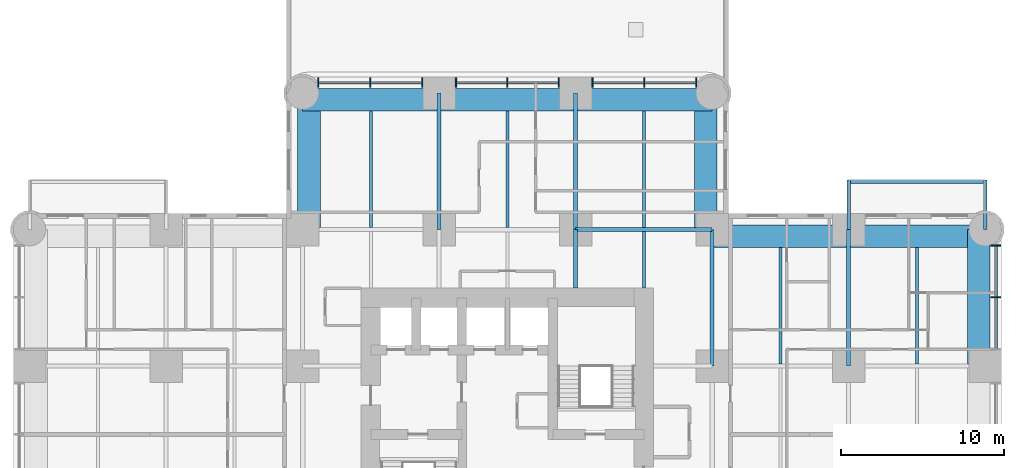
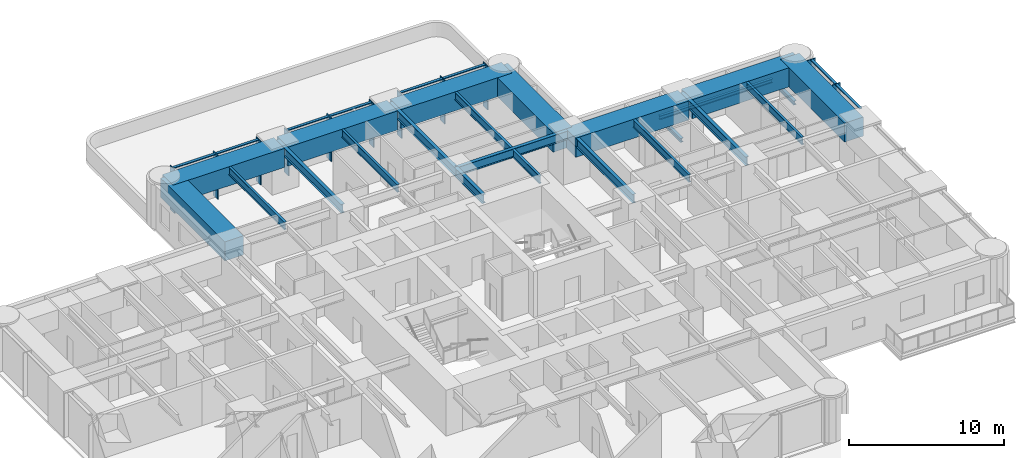
# One storey, part 4 of 14: 23 beams, 19 members, 2 elements without a shape of their own.
"""IFC4 building model written with IfcOpenShell, lengths in metres."""

from ifc_helpers import new_model, si_unit, direction, frame, origin, origin_2d, place, context, subcontext, project, spatial, rectangle, i_section, extrude, material, material_profile, profile_set, type_object, element, aggregate, save


model = new_model("IFC4")

# Units and contexts
model_context = context("Model", 3, precision=1e-05, world=origin(), true_north=direction((0.0, 1.0)))
body_context = subcontext(model_context, "Body", "Model", "MODEL_VIEW")
ifc_project = project(units=[si_unit("LENGTHUNIT", "METRE"), si_unit("AREAUNIT", "SQUARE_METRE"), si_unit("VOLUMEUNIT", "CUBIC_METRE"), si_unit("PLANEANGLEUNIT", "RADIAN"), si_unit("MASSUNIT", "GRAM", prefix="KILO")], contexts=[model_context])

# Site, building, storey
site_placement = place(None, origin())
site = spatial("IfcSite", under=ifc_project, at=site_placement, CompositionType="ELEMENT")
building_placement = place(site_placement, origin())
building = spatial("IfcBuilding", under=site, at=building_placement, Name="Torre Alcanfor", CompositionType="ELEMENT")
storey_placement = place(building_placement, frame((0.0, 0.0, 108.89990234375)))
storey = spatial("IfcBuildingStorey", under=building, at=storey_placement, Name="L27", CompositionType="ELEMENT", Elevation=108.89990234375)

# Beams
ifc_material_1 = material(Name="Steel ASTM A992 Grade 50", Category="steel")
ifc_material_profile_1 = material_profile(ifc_material_1, i_section(OverallWidth=0.205322265625, OverallDepth=0.309814453125, WebThickness=0.00927734375, FlangeThickness=0.016357421875, at=origin_2d()), Name="W12x50")
ifc_profile_set_1 = profile_set([ifc_material_profile_1], Name="Steel ASTM A992 Grade 50")
beam_type_1 = type_object("IfcBeamType", Name="Balcony cantilever beam W12x50", PredefinedType="BEAM", material=ifc_profile_set_1)
for number, where, z_axis, x_axis, name in (
    (1, (50.39990234375, 42.0, -0.354736328125), (0.0, 1.0, 0.0), (-1.0, 0.0, 0.0), "Balcony cantilever beam L27-E1 1"),
    (2, (58.800048828125, 42.0, -0.354736328125), (0.0, 1.0, 0.0), (-1.0, 0.0, 0.0), "Balcony cantilever beam L27-E1 2"),
):
    element("IfcBeam", number, at=place(storey_placement, frame(where, z_axis=z_axis, x_axis=x_axis)), inside=storey, type_object=beam_type_1, Name=name, PredefinedType="BEAM", context=body_context, shape_type="SweptSolid", body=[
        extrude(i_section(OverallWidth=0.205322265625, OverallDepth=0.309814453125, WebThickness=0.00927734375, FlangeThickness=0.016357421875, at=origin_2d()), origin(), (0.0, 0.0, 1.0), 3.050048828125),
    ])
ifc_material_2 = material(Name="Steel ASTM A992 Grade 50", Category="steel")
ifc_material_profile_2 = material_profile(ifc_material_2, i_section(OverallWidth=0.203369140625, OverallDepth=0.30224609375, WebThickness=0.007568359375, FlangeThickness=0.01318359375, at=origin_2d()), Name="W12x40")
ifc_profile_set_2 = profile_set([ifc_material_profile_2], Name="Steel ASTM A992 Grade 50")
beam_type_2 = type_object("IfcBeamType", Name="Balcony edge trimmer W12x40", PredefinedType="BEAM", material=ifc_profile_set_2)
beam_1_placement = place(storey_placement, frame((50.39990234375, 44.9482421875, -0.35107421875), z_axis=(1.0, 0.0, 0.0), x_axis=(0.0, 1.0, 0.0)))
element("IfcBeam", 3, at=beam_1_placement, inside=storey, type_object=beam_type_2, Name="Balcony edge trimmer L27-E1", PredefinedType="BEAM", context=body_context, shape_type="SweptSolid", body=[
    extrude(i_section(OverallWidth=0.203369140625, OverallDepth=0.30224609375, WebThickness=0.007568359375, FlangeThickness=0.01318359375, at=origin_2d()), origin(), (0.0, 0.0, 1.0), 8.400146484375),
])

# Curtain wall, members
ifc_material_3 = material(Name="Aluminium and glass", Category="aluminium")
curtain_wall_type = type_object("IfcCurtainWallType", Name="CW-A unitised apartment glazing with vertical FIN", PredefinedType="NOTDEFINED", material=ifc_material_3)
curtain_wall_1_placement = place(storey_placement, origin())
curtain_wall_1 = element("IfcCurtainWall", 4, at=curtain_wall_1_placement, inside=storey, type_object=curtain_wall_type, Name="Curtain wall CW-A L27 8", PredefinedType="NOTDEFINED")
ifc_material_4 = material(Name="Bronze anodised aluminium", Category="aluminium")
ifc_material_profile_3 = material_profile(ifc_material_4, rectangle(XDim=0.60009765625, YDim=0.06494140625, at=origin_2d()), Name="CW-A mullion 65x600")
ifc_profile_set_3 = profile_set([ifc_material_profile_3], Name="Bronze anodised aluminium")
member_type_1 = type_object("IfcMemberType", Name="CW-A mullion with vertical FIN 65x600", PredefinedType="MULLION", material=ifc_profile_set_3)
member_1_placement = place(storey_placement, frame((59.449951171875, 37.83154296875, 0.0), z_axis=(0.0, 0.0, 1.0), x_axis=(-1.0, 0.0, 0.0)))
member_1 = element("IfcMember", 5, at=member_1_placement, type_object=member_type_1, Name="CW-A mullion 3.2", PredefinedType="MULLION", context=body_context, shape_type="SweptSolid", body=[
    extrude(rectangle(XDim=0.60009765625, YDim=0.06494140625, at=origin_2d()), origin(), (0.0, 0.0, 1.0), 3.4501953125),
])
member_2_placement = place(storey_placement, frame((59.449951171875, 41.025390625, 0.0), z_axis=(0.0, 0.0, 1.0), x_axis=(-1.0, 0.0, 0.0)))
member_2 = element("IfcMember", 6, at=member_2_placement, type_object=member_type_1, Name="CW-A mullion 3.3", PredefinedType="MULLION", context=body_context, shape_type="SweptSolid", body=[
    extrude(rectangle(XDim=0.60009765625, YDim=0.06494140625, at=origin_2d()), origin(), (0.0, 0.0, 1.0), 3.4501953125),
])

curtain_wall_2_placement = place(storey_placement, origin())
curtain_wall_2 = element("IfcCurtainWall", 7, at=curtain_wall_2_placement, inside=storey, type_object=curtain_wall_type, Name="Curtain wall CW-A L27 11", PredefinedType="NOTDEFINED")
member_3_placement = place(storey_placement, frame((41.025390625, 51.050048828125, 0.0), z_axis=(0.0, 0.0, 1.0), x_axis=(0.0, -1.0, 0.0)))
member_3 = element("IfcMember", 8, at=member_3_placement, type_object=member_type_1, Name="CW-A mullion 1.1", PredefinedType="MULLION", context=body_context, shape_type="SweptSolid", body=[
    extrude(rectangle(XDim=0.60009765625, YDim=0.06494140625, at=origin_2d()), origin(), (0.0, 0.0, 1.0), 3.4501953125),
])
member_4_placement = place(storey_placement, frame((37.83154296875, 51.050048828125, 0.0), z_axis=(0.0, 0.0, 1.0), x_axis=(0.0, -1.0, 0.0)))
member_4 = element("IfcMember", 9, at=member_4_placement, type_object=member_type_1, Name="CW-A mullion 1.2", PredefinedType="MULLION", context=body_context, shape_type="SweptSolid", body=[
    extrude(rectangle(XDim=0.60009765625, YDim=0.06494140625, at=origin_2d()), origin(), (0.0, 0.0, 1.0), 3.4501953125),
])
member_5_placement = place(storey_placement, frame((34.637451171875, 51.050048828125, 0.0), z_axis=(0.0, 0.0, 1.0), x_axis=(0.0, -1.0, 0.0)))
member_5 = element("IfcMember", 10, at=member_5_placement, type_object=member_type_1, Name="CW-A mullion 1.3", PredefinedType="MULLION", context=body_context, shape_type="SweptSolid", body=[
    extrude(rectangle(XDim=0.60009765625, YDim=0.06494140625, at=origin_2d()), origin(), (0.0, 0.0, 1.0), 3.4501953125),
])
member_6_placement = place(storey_placement, frame((32.5625, 51.050048828125, 0.0), z_axis=(0.0, 0.0, 1.0), x_axis=(0.0, -1.0, 0.0)))
member_6 = element("IfcMember", 11, at=member_6_placement, type_object=member_type_1, Name="CW-A mullion 2.1", PredefinedType="MULLION", context=body_context, shape_type="SweptSolid", body=[
    extrude(rectangle(XDim=0.60009765625, YDim=0.06494140625, at=origin_2d()), origin(), (0.0, 0.0, 1.0), 3.4501953125),
])
member_7_placement = place(storey_placement, frame((29.39990234375, 51.050048828125, 0.0), z_axis=(0.0, 0.0, 1.0), x_axis=(0.0, -1.0, 0.0)))
member_7 = element("IfcMember", 12, at=member_7_placement, type_object=member_type_1, Name="CW-A mullion 2.2", PredefinedType="MULLION", context=body_context, shape_type="SweptSolid", body=[
    extrude(rectangle(XDim=0.60009765625, YDim=0.06494140625, at=origin_2d()), origin(), (0.0, 0.0, 1.0), 3.4501953125),
])
member_8_placement = place(storey_placement, frame((26.237548828125, 51.050048828125, 0.0), z_axis=(0.0, 0.0, 1.0), x_axis=(0.0, -1.0, 0.0)))
member_8 = element("IfcMember", 13, at=member_8_placement, type_object=member_type_1, Name="CW-A mullion 2.3", PredefinedType="MULLION", context=body_context, shape_type="SweptSolid", body=[
    extrude(rectangle(XDim=0.60009765625, YDim=0.06494140625, at=origin_2d()), origin(), (0.0, 0.0, 1.0), 3.4501953125),
])
member_9_placement = place(storey_placement, frame((24.16259765625, 51.050048828125, 0.0), z_axis=(0.0, 0.0, 1.0), x_axis=(0.0, -1.0, 0.0)))
member_9 = element("IfcMember", 14, at=member_9_placement, type_object=member_type_1, Name="CW-A mullion 3.1", PredefinedType="MULLION", context=body_context, shape_type="SweptSolid", body=[
    extrude(rectangle(XDim=0.60009765625, YDim=0.06494140625, at=origin_2d()), origin(), (0.0, 0.0, 1.0), 3.4501953125),
])
member_10_placement = place(storey_placement, frame((20.968505859375, 51.050048828125, 0.0), z_axis=(0.0, 0.0, 1.0), x_axis=(0.0, -1.0, 0.0)))
member_10 = element("IfcMember", 15, at=member_10_placement, type_object=member_type_1, Name="CW-A mullion 3.2", PredefinedType="MULLION", context=body_context, shape_type="SweptSolid", body=[
    extrude(rectangle(XDim=0.60009765625, YDim=0.06494140625, at=origin_2d()), origin(), (0.0, 0.0, 1.0), 3.4501953125),
])
member_11_placement = place(storey_placement, frame((17.7744140625, 51.050048828125, 0.0), z_axis=(0.0, 0.0, 1.0), x_axis=(0.0, -1.0, 0.0)))
member_11 = element("IfcMember", 16, at=member_11_placement, type_object=member_type_1, Name="CW-A mullion 3.3", PredefinedType="MULLION", context=body_context, shape_type="SweptSolid", body=[
    extrude(rectangle(XDim=0.60009765625, YDim=0.06494140625, at=origin_2d()), origin(), (0.0, 0.0, 1.0), 3.4501953125),
])

# Member
ifc_material_5 = material(Name="Extruded aluminium", Category="aluminium")
ifc_material_profile_4 = material_profile(ifc_material_5, rectangle(XDim=0.199951171875, YDim=0.06494140625, at=origin_2d()), Name="CW-A transom 200x65")
ifc_profile_set_4 = profile_set([ifc_material_profile_4], Name="Extruded aluminium")
member_type_2 = type_object("IfcMemberType", Name="CW-A transom 65x200", PredefinedType="USERDEFINED", material=ifc_profile_set_4)
member_12_placement = place(storey_placement, frame((59.449951171875, 34.669921875, 3.41748046875), z_axis=(0.0, 1.0, 0.0), x_axis=(-1.0, 0.0, 0.0)))
member_12 = element("IfcMember", 17, at=member_12_placement, type_object=member_type_2, Name="CW-A transom 3.1.2", ObjectType="TRANSOM", PredefinedType="USERDEFINED", context=body_context, shape_type="SweptSolid", body=[
    extrude(rectangle(XDim=0.199951171875, YDim=0.06494140625, at=origin_2d()), origin(), (0.0, 0.0, 1.0), 3.129150390625),
])

member_13_placement = place(storey_placement, frame((59.449951171875, 37.864013671875, 3.41748046875), z_axis=(0.0, 1.0, 0.0), x_axis=(-1.0, 0.0, 0.0)))
member_13 = element("IfcMember", 18, at=member_13_placement, type_object=member_type_2, Name="CW-A transom 3.2.2", ObjectType="TRANSOM", PredefinedType="USERDEFINED", context=body_context, shape_type="SweptSolid", body=[
    extrude(rectangle(XDim=0.199951171875, YDim=0.06494140625, at=origin_2d()), origin(), (0.0, 0.0, 1.0), 3.12890625),
])

aggregate(curtain_wall_1, [member_1, member_2, member_12, member_13])

member_14_placement = place(storey_placement, frame((40.992919921875, 51.050048828125, 3.41748046875), z_axis=(-1.0, 0.0, 0.0), x_axis=(0.0, -1.0, 0.0)))
member_14 = element("IfcMember", 19, at=member_14_placement, type_object=member_type_2, Name="CW-A transom 1.1.2", ObjectType="TRANSOM", PredefinedType="USERDEFINED", context=body_context, shape_type="SweptSolid", body=[
    extrude(rectangle(XDim=0.199951171875, YDim=0.06494140625, at=origin_2d()), origin(), (0.0, 0.0, 1.0), 3.12890625),
])

member_15_placement = place(storey_placement, frame((37.799072265625, 51.050048828125, 3.41748046875), z_axis=(-1.0, 0.0, 0.0), x_axis=(0.0, -1.0, 0.0)))
member_15 = element("IfcMember", 20, at=member_15_placement, type_object=member_type_2, Name="CW-A transom 1.2.2", ObjectType="TRANSOM", PredefinedType="USERDEFINED", context=body_context, shape_type="SweptSolid", body=[
    extrude(rectangle(XDim=0.199951171875, YDim=0.06494140625, at=origin_2d()), origin(), (0.0, 0.0, 1.0), 3.129150390625),
])

member_16_placement = place(storey_placement, frame((32.530029296875, 51.050048828125, 3.41748046875), z_axis=(-1.0, 0.0, 0.0), x_axis=(0.0, -1.0, 0.0)))
member_16 = element("IfcMember", 21, at=member_16_placement, type_object=member_type_2, Name="CW-A transom 2.1.2", ObjectType="TRANSOM", PredefinedType="USERDEFINED", context=body_context, shape_type="SweptSolid", body=[
    extrude(rectangle(XDim=0.199951171875, YDim=0.06494140625, at=origin_2d()), origin(), (0.0, 0.0, 1.0), 3.097412109375),
])

member_17_placement = place(storey_placement, frame((29.367431640625, 51.050048828125, 3.41748046875), z_axis=(-1.0, 0.0, 0.0), x_axis=(0.0, -1.0, 0.0)))
member_17 = element("IfcMember", 22, at=member_17_placement, type_object=member_type_2, Name="CW-A transom 2.2.2", ObjectType="TRANSOM", PredefinedType="USERDEFINED", context=body_context, shape_type="SweptSolid", body=[
    extrude(rectangle(XDim=0.199951171875, YDim=0.06494140625, at=origin_2d()), origin(), (0.0, 0.0, 1.0), 3.097412109375),
])

member_18_placement = place(storey_placement, frame((24.1298828125, 51.050048828125, 3.41748046875), z_axis=(-1.0, 0.0, 0.0), x_axis=(0.0, -1.0, 0.0)))
member_18 = element("IfcMember", 23, at=member_18_placement, type_object=member_type_2, Name="CW-A transom 3.1.2", ObjectType="TRANSOM", PredefinedType="USERDEFINED", context=body_context, shape_type="SweptSolid", body=[
    extrude(rectangle(XDim=0.199951171875, YDim=0.06494140625, at=origin_2d()), origin(), (0.0, 0.0, 1.0), 3.12890625),
])

member_19_placement = place(storey_placement, frame((20.93603515625, 51.050048828125, 3.41748046875), z_axis=(-1.0, 0.0, 0.0), x_axis=(0.0, -1.0, 0.0)))
member_19 = element("IfcMember", 24, at=member_19_placement, type_object=member_type_2, Name="CW-A transom 3.2.2", ObjectType="TRANSOM", PredefinedType="USERDEFINED", context=body_context, shape_type="SweptSolid", body=[
    extrude(rectangle(XDim=0.199951171875, YDim=0.06494140625, at=origin_2d()), origin(), (0.0, 0.0, 1.0), 3.129150390625),
])

aggregate(curtain_wall_2, [member_3, member_4, member_5, member_14, member_15, member_6, member_7, member_8, member_16, member_17, member_9, member_10, member_11, member_18, member_19])

# Beams
ifc_material_6 = material(Name="Steel ASTM A992 Grade 50", Category="steel")
ifc_material_profile_5 = material_profile(ifc_material_6, i_section(OverallWidth=0.25390625, OverallDepth=0.683349609375, WebThickness=0.012451171875, FlangeThickness=0.01904296875, at=origin_2d()), Name="W27x94")
ifc_profile_set_5 = profile_set([ifc_material_profile_5], Name="Steel ASTM A992 Grade 50")
beam_type_3 = type_object("IfcBeamType", Name="Girder W27x94", PredefinedType="BEAM", material=ifc_profile_set_5)
for number, where, z_axis, x_axis, name in (
    (25, (33.60009765625, 42.0, 3.1083984375), (1.0, 0.0, 0.0), (0.0, 1.0, 0.0), "Beam 5H-6H under L28"),
    (26, (25.199951171875, 42.0, 3.1083984375), (0.0, 1.0, 0.0), (-1.0, 0.0, 0.0), "Beam 4H-4J under L28"),
    (27, (33.60009765625, 42.0, 3.1083984375), (0.0, 1.0, 0.0), (-1.0, 0.0, 0.0), "Beam 5H-5J under L28"),
    (28, (42.0, 33.60009765625, 3.1083984375), (0.0, 1.0, 0.0), (-1.0, 0.0, 0.0), "Beam 6G-6H under L28"),
    (29, (50.39990234375, 33.60009765625, 3.1083984375), (0.0, 1.0, 0.0), (-1.0, 0.0, 0.0), "Beam 7G-7H under L28"),
):
    element("IfcBeam", number, at=place(storey_placement, frame(where, z_axis=z_axis, x_axis=x_axis)), inside=storey, type_object=beam_type_3, Name=name, PredefinedType="BEAM", context=body_context, shape_type="SweptSolid", body=[
        extrude(i_section(OverallWidth=0.25390625, OverallDepth=0.683349609375, WebThickness=0.012451171875, FlangeThickness=0.01904296875, at=origin_2d()), origin(), (0.0, 0.0, 1.0), 8.39990234375),
    ])
ifc_material_7 = material(Name="Steel ASTM A992 Grade 50", Category="steel")
ifc_material_profile_6 = material_profile(ifc_material_7, i_section(OverallWidth=0.25390625, OverallDepth=0.683349609375, WebThickness=0.012451171875, FlangeThickness=0.01904296875, at=origin_2d()), Name="W27x94")
ifc_profile_set_6 = profile_set([ifc_material_profile_6], Name="Steel ASTM A992 Grade 50")
beam_type_4 = type_object("IfcBeamType", Name="Girder, part bay W27x94", PredefinedType="BEAM", material=ifc_profile_set_6)
beam_2_placement = place(storey_placement, frame((33.60009765625, 42.0, 3.1083984375), z_axis=(0.0, -1.0, 0.0), x_axis=(1.0, 0.0, 0.0)))
element("IfcBeam", 30, at=beam_2_placement, inside=storey, type_object=beam_type_4, Name="Beam 5H-538_4 under L28", PredefinedType="BEAM", context=body_context, shape_type="SweptSolid", body=[
    extrude(i_section(OverallWidth=0.25390625, OverallDepth=0.683349609375, WebThickness=0.012451171875, FlangeThickness=0.01904296875, at=origin_2d()), origin(), (0.0, 0.0, 1.0), 3.60009765625),
])
ifc_material_8 = material(Name="Concrete f'c 70 MPa", Category="concrete")
ifc_material_profile_7 = material_profile(ifc_material_8, rectangle(XDim=1.39990234375, YDim=1.5, at=origin_2d()), Name="1400x1500")
ifc_profile_set_7 = profile_set([ifc_material_profile_7], Name="Concrete f'c 70 MPa")
beam_type_5 = type_object("IfcBeamType", Name="RC perimeter beam 1400x1500", PredefinedType="BEAM", material=ifc_profile_set_7)
beam_3_placement = place(storey_placement, frame((41.873046875, 41.60009765625, 2.7001953125), z_axis=(1.0, 0.0, 0.0), x_axis=(0.0, 1.0, 0.0)))
element("IfcBeam", 31, at=beam_3_placement, inside=storey, type_object=beam_type_5, Name="Beam 6H-7H under L28", PredefinedType="BEAM", context=body_context, shape_type="SweptSolid", body=[
    extrude(rectangle(XDim=1.39990234375, YDim=1.5, at=origin_2d()), origin(), (0.0, 0.0, 1.0), 8.39990234375),
])
for number, where, z_axis, x_axis, name in (
    (32, (50.527099609375, 41.60009765625, 2.7001953125), (1.0, 0.0, 0.0), (0.0, 1.0, 0.0), "Beam 7H-8H under L28"),
    (33, (16.800048828125, 50.0, 2.7001953125), (1.0, 0.0, 0.0), (0.0, 1.0, 0.0), "Beam 3J-4J under L28"),
):
    element("IfcBeam", number, at=place(storey_placement, frame(where, z_axis=z_axis, x_axis=x_axis)), inside=storey, type_object=beam_type_5, Name=name, PredefinedType="BEAM", context=body_context, shape_type="SweptSolid", body=[
        extrude(rectangle(XDim=1.39990234375, YDim=1.5, at=origin_2d()), origin(), (0.0, 0.0, 1.0), 8.27294921875),
    ])
beam_4_placement = place(storey_placement, frame((25.326904296875, 50.0, 2.7001953125), z_axis=(1.0, 0.0, 0.0), x_axis=(0.0, 1.0, 0.0)))
element("IfcBeam", 34, at=beam_4_placement, inside=storey, type_object=beam_type_5, Name="Beam 4J-5J under L28", PredefinedType="BEAM", context=body_context, shape_type="SweptSolid", body=[
    extrude(rectangle(XDim=1.39990234375, YDim=1.5, at=origin_2d()), origin(), (0.0, 0.0, 1.0), 8.14599609375),
])
for number, where, z_axis, x_axis, name in (
    (35, (33.72705078125, 50.0, 2.7001953125), (1.0, 0.0, 0.0), (0.0, 1.0, 0.0), "Beam 5J-6J under L28"),
    (36, (17.199951171875, 42.126953125, 2.7001953125), (0.0, 1.0, 0.0), (-1.0, 0.0, 0.0), "Beam 3H-3J under L28"),
    (37, (41.60009765625, 42.126953125, 2.7001953125), (0.0, 1.0, 0.0), (-1.0, 0.0, 0.0), "Beam 6H-6J under L28"),
    (38, (58.39990234375, 33.72705078125, 2.7001953125), (0.0, 1.0, 0.0), (-1.0, 0.0, 0.0), "Beam 8G-8H under L28"),
):
    element("IfcBeam", number, at=place(storey_placement, frame(where, z_axis=z_axis, x_axis=x_axis)), inside=storey, type_object=beam_type_5, Name=name, PredefinedType="BEAM", context=body_context, shape_type="SweptSolid", body=[
        extrude(rectangle(XDim=1.39990234375, YDim=1.5, at=origin_2d()), origin(), (0.0, 0.0, 1.0), 8.27294921875),
    ])
ifc_material_9 = material(Name="Steel ASTM A992 Grade 50", Category="steel")
ifc_material_profile_8 = material_profile(ifc_material_9, i_section(OverallWidth=0.1787109375, OverallDepth=0.60205078125, WebThickness=0.010986328125, FlangeThickness=0.014892578125, at=origin_2d()), Name="W24x62")
ifc_profile_set_8 = profile_set([ifc_material_profile_8], Name="Steel ASTM A992 Grade 50")
beam_type_6 = type_object("IfcBeamType", Name="Secondary beam W24x62", PredefinedType="BEAM", material=ifc_profile_set_8)
beam_5_placement = place(storey_placement, frame((21.0, 42.126953125, 3.149169921875), z_axis=(0.0, 1.0, 0.0), x_axis=(-1.0, 0.0, 0.0)))
element("IfcBeam", 39, at=beam_5_placement, inside=storey, type_object=beam_type_6, Name="Beam 21H-21J under L28", PredefinedType="BEAM", context=body_context, shape_type="SweptSolid", body=[
    extrude(i_section(OverallWidth=0.1787109375, OverallDepth=0.60205078125, WebThickness=0.010986328125, FlangeThickness=0.014892578125, at=origin_2d()), origin(), (0.0, 0.0, 1.0), 7.173095703125),
])
beam_6_placement = place(storey_placement, frame((29.39990234375, 42.133056640625, 3.149169921875), z_axis=(0.0, 1.0, 0.0), x_axis=(-1.0, 0.0, 0.0)))
element("IfcBeam", 40, at=beam_6_placement, inside=storey, type_object=beam_type_6, Name="Beam 29_4H-29_4J under L28", PredefinedType="BEAM", context=body_context, shape_type="SweptSolid", body=[
    extrude(i_section(OverallWidth=0.1787109375, OverallDepth=0.60205078125, WebThickness=0.010986328125, FlangeThickness=0.014892578125, at=origin_2d()), origin(), (0.0, 0.0, 1.0), 7.1669921875),
])
beam_7_placement = place(storey_placement, frame((37.800048828125, 42.126953125, 3.149169921875), z_axis=(0.0, 1.0, 0.0), x_axis=(-1.0, 0.0, 0.0)))
element("IfcBeam", 41, at=beam_7_placement, inside=storey, type_object=beam_type_6, Name="Beam 37_8H-37_8J under L28", PredefinedType="BEAM", context=body_context, shape_type="SweptSolid", body=[
    extrude(i_section(OverallWidth=0.1787109375, OverallDepth=0.60205078125, WebThickness=0.010986328125, FlangeThickness=0.014892578125, at=origin_2d()), origin(), (0.0, 0.0, 1.0), 7.173095703125),
])
for number, where, z_axis, x_axis, name in (
    (42, (46.199951171875, 33.72705078125, 3.149169921875), (0.0, 1.0, 0.0), (-1.0, 0.0, 0.0), "Beam 46_2G-46_2H under L28"),
    (43, (54.60009765625, 33.72705078125, 3.149169921875), (0.0, 1.0, 0.0), (-1.0, 0.0, 0.0), "Beam 54_6G-54_6H under L28"),
):
    element("IfcBeam", number, at=place(storey_placement, frame(where, z_axis=z_axis, x_axis=x_axis)), inside=storey, type_object=beam_type_6, Name=name, PredefinedType="BEAM", context=body_context, shape_type="SweptSolid", body=[
        extrude(i_section(OverallWidth=0.1787109375, OverallDepth=0.60205078125, WebThickness=0.010986328125, FlangeThickness=0.014892578125, at=origin_2d()), origin(), (0.0, 0.0, 1.0), 7.1728515625),
    ])
ifc_material_10 = material(Name="Steel ASTM A992 Grade 50", Category="steel")
ifc_material_profile_9 = material_profile(ifc_material_10, i_section(OverallWidth=0.1787109375, OverallDepth=0.60205078125, WebThickness=0.010986328125, FlangeThickness=0.014892578125, at=origin_2d()), Name="W24x62")
ifc_profile_set_9 = profile_set([ifc_material_profile_9], Name="Steel ASTM A992 Grade 50")
beam_type_7 = type_object("IfcBeamType", Name="Secondary beam, part bay W24x62", PredefinedType="BEAM", material=ifc_profile_set_9)
beam_8_placement = place(storey_placement, frame((37.800048828125, 38.39990234375, 3.149169921875), z_axis=(0.0, 1.0, 0.0), x_axis=(-1.0, 0.0, 0.0)))
element("IfcBeam", 44, at=beam_8_placement, inside=storey, type_object=beam_type_7, Name="Beam 37_838_4-37_8H under L28", PredefinedType="BEAM", context=body_context, shape_type="SweptSolid", body=[
    extrude(i_section(OverallWidth=0.1787109375, OverallDepth=0.60205078125, WebThickness=0.010986328125, FlangeThickness=0.014892578125, at=origin_2d()), origin(), (0.0, 0.0, 1.0), 3.47314453125),
])

save(model, "model.ifc")
